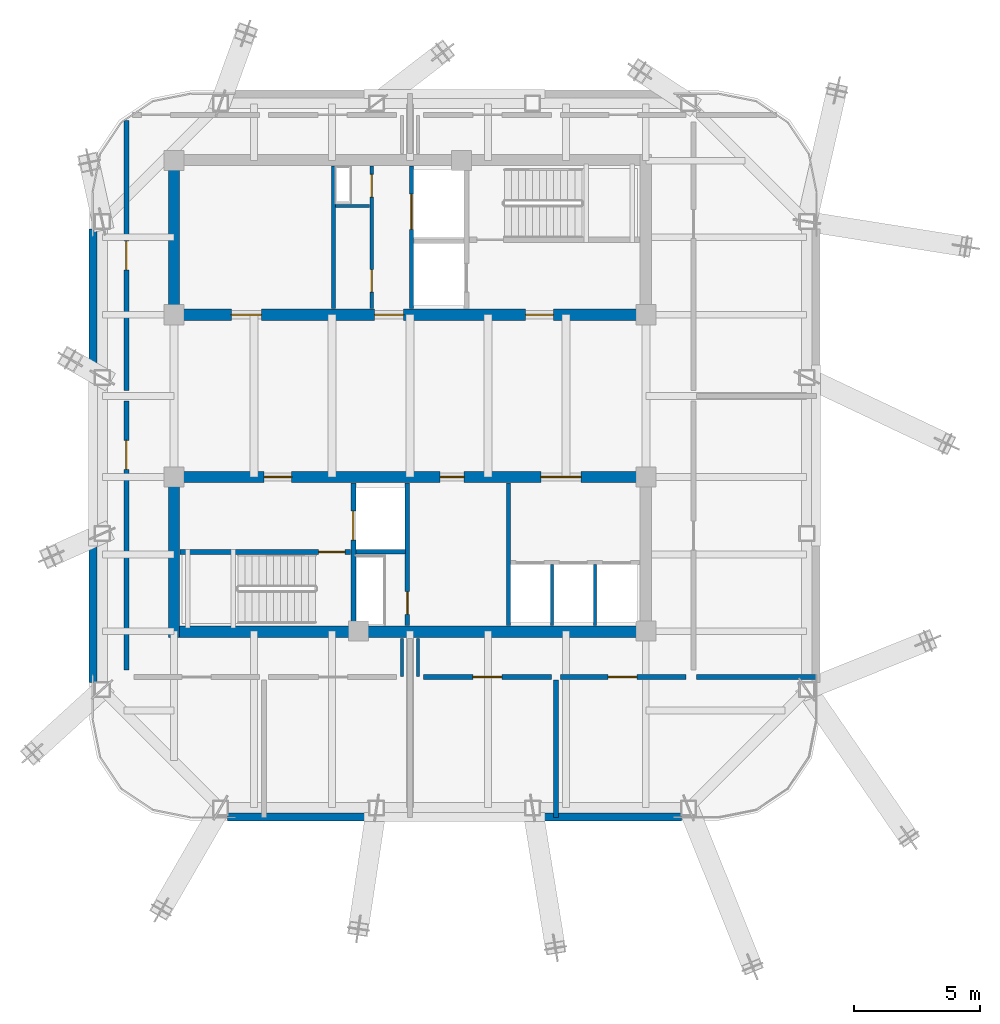
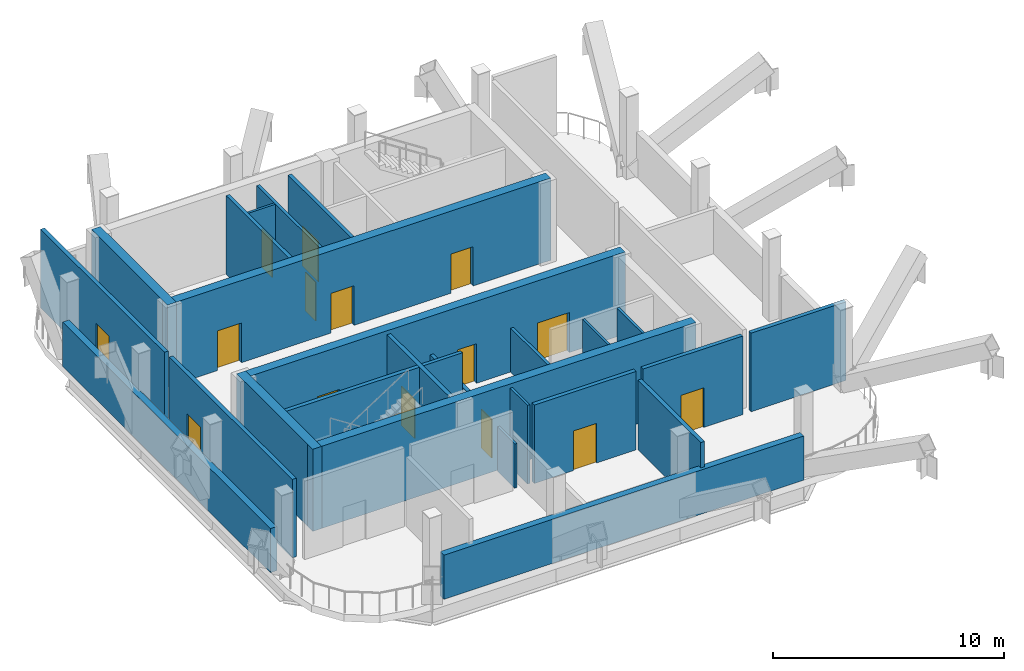
# One storey, part 3 of 7: 26 walls, 16 doors, 16 openings.
"""IFC4 building model written with IfcOpenShell, lengths in metres."""

from ifc_helpers import new_model, si_unit, direction, frame, frame_2d, origin, place, context, subcontext, project, spatial, rectangle, extrude, material, layer, layer_set, type_object, element, fill, save


model = new_model("IFC4")

# Units and contexts
model_context = context("Model", 3, precision=1e-05, world=origin(), true_north=direction((0.0, 1.0)))
body_context = subcontext(model_context, "Body", "Model", "MODEL_VIEW")
ifc_project = project(units=[si_unit("LENGTHUNIT", "METRE"), si_unit("AREAUNIT", "SQUARE_METRE"), si_unit("VOLUMEUNIT", "CUBIC_METRE"), si_unit("PLANEANGLEUNIT", "RADIAN"), si_unit("MASSUNIT", "GRAM", prefix="KILO")], contexts=[model_context])

# Site, building, storey
site_placement = place(None, origin())
site = spatial("IfcSite", under=ifc_project, at=site_placement, CompositionType="ELEMENT")
building_placement = place(site_placement, origin())
building = spatial("IfcBuilding", under=site, at=building_placement, Name="Qhalaya Broadcast Tower", CompositionType="ELEMENT")
storey_placement = place(building_placement, frame((0.0, 0.0, 238.5)))
storey = spatial("IfcBuildingStorey", under=building, at=storey_placement, Name="L70", CompositionType="ELEMENT", Elevation=238.5)

# Wall, openings, doors
ifc_material_1 = material(Name="Gypsum Acoustic Partition")
ifc_layer_1 = layer(ifc_material_1, 0.14990234375, Name="Gypsum Acoustic Partition")
ifc_layer_set_1 = layer_set([ifc_layer_1], Name="Gypsum Acoustic Partition")
wall_type_1 = type_object("IfcWallType", Name="Corridor & Tenancy Acoustic Partition 150", PredefinedType="PARTITIONING", material=ifc_layer_set_1)
wall_1_placement = place(storey_placement, frame((-1.52001953125, 4.070068359375, 0.0), z_axis=(0.0, 0.0, 1.0), x_axis=(0.0, 1.0, 0.0)))
wall_1 = element("IfcWall", 1, at=wall_1_placement, inside=storey, type_object=wall_type_1, Name="L70 Partition Wall NCW-SVL", PredefinedType="PARTITIONING", context=body_context, shape_type="SweptSolid", body=[
    extrude(rectangle(XDim=5.659912109375, YDim=0.14990234375, at=frame_2d((2.830078125, 0.0))), origin(), (0.0, 0.0, 1.0), 4.159912109375),
])
opening_1_placement = place(wall_1_placement, frame((4.429931640625, 0.0, 0.0)))
opening_1 = element("IfcOpeningElement", 2, at=opening_1_placement, cuts=wall_1, Name="Opening D06", PredefinedType="OPENING", context=body_context, shape_type="SweptSolid", body=[
    extrude(rectangle(XDim=0.89990234375, YDim=2.050048828125, at=frame_2d((0.449951171875, 1.02490234375))), frame((0.0, 0.0869140625, 0.0), z_axis=(0.0, -1.0, 0.0), x_axis=(1.0, 0.0, 0.0)), (0.0, 0.0, 1.0), 0.173828125),
])
opening_2_placement = place(wall_1_placement, frame((0.64990234375, 0.0, 0.0)))
opening_2 = element("IfcOpeningElement", 3, at=opening_2_placement, cuts=wall_1, Name="Opening D06", PredefinedType="OPENING", context=body_context, shape_type="SweptSolid", body=[
    extrude(rectangle(XDim=0.89990234375, YDim=2.050048828125, at=frame_2d((0.449951171875, 1.02490234375))), frame((0.0, 0.0869140625, 0.0), z_axis=(0.0, -1.0, 0.0), x_axis=(1.0, 0.0, 0.0)), (0.0, 0.0, 1.0), 0.173828125),
])
ifc_material_2 = material(Name="Fire-Rated Steel Door", Category="steel")
door_type_1 = type_object("IfcDoorType", Name="Riser & Electrical Shaft Access Door D06", OperationType="NOTDEFINED", PredefinedType="DOOR", material=ifc_material_2)
door_1_placement = place(opening_1_placement, origin())
door_1 = element("IfcDoor", 4, at=door_1_placement, inside=storey, type_object=door_type_1, Name="L70 Riser Shaft Access Door D-NRSR", OperationType="SINGLE_SWING_RIGHT", OverallHeight=2.050048828125, OverallWidth=0.89990234375, PredefinedType="DOOR", context=body_context, shape_type="SweptSolid", body=[
    extrude(rectangle(XDim=0.89990234375, YDim=2.050048828125, at=frame_2d((0.449951171875, 1.02490234375))), frame((0.0, 0.02490234375, 0.0), z_axis=(0.0, -1.0, 0.0), x_axis=(1.0, 0.0, 0.0)), (0.0, 0.0, 1.0), 0.050048828125),
])
fill(opening_1, door_1)
door_2_placement = place(opening_2_placement, origin())
door_2 = element("IfcDoor", 5, at=door_2_placement, inside=storey, type_object=door_type_1, Name="L70 Door D-NCST", OperationType="SINGLE_SWING_LEFT", OverallHeight=2.050048828125, OverallWidth=0.89990234375, PredefinedType="DOOR", context=body_context, shape_type="SweptSolid", body=[
    extrude(rectangle(XDim=0.89990234375, YDim=2.050048828125, at=frame_2d((0.449951171875, 1.02490234375))), frame((0.0, 0.02490234375, 0.0), z_axis=(0.0, -1.0, 0.0), x_axis=(1.0, 0.0, 0.0)), (0.0, 0.0, 1.0), 0.050048828125),
])
fill(opening_2, door_2)

# Wall
wall_2_placement = place(storey_placement, frame((3.919921875, -8.530029296875, 0.0), z_axis=(0.0, 0.0, 1.0), x_axis=(0.0, 1.0, 0.0)))
element("IfcWall", 6, at=wall_2_placement, inside=storey, type_object=wall_type_1, Name="L70 Partition Wall SCW-HSEP", PredefinedType="PARTITIONING", context=body_context, shape_type="SweptSolid", body=[
    extrude(rectangle(XDim=5.659912109375, YDim=0.14990234375, at=frame_2d((2.830078125, 0.0))), origin(), (0.0, 0.0, 1.0), 2.340087890625),
])

# Wall, opening, door
ifc_layer_2 = layer(ifc_material_1, 0.199951171875, Name="Gypsum Acoustic Partition")
ifc_layer_set_2 = layer_set([ifc_layer_2], Name="Gypsum Acoustic Partition")
wall_type_2 = type_object("IfcWallType", Name="Firefighting Lobby & Stair Enclosure Wall 200", PredefinedType="PARTITIONING", material=ifc_layer_set_2)
wall_3_placement = place(storey_placement, frame((0.530029296875, -10.570068359375, 0.0), z_axis=(0.0, 0.0, 1.0), x_axis=(1.0, 0.0, 0.0)))
wall_3 = element("IfcWall", 7, at=wall_3_placement, inside=storey, type_object=wall_type_2, Name="L70 Partition Wall W-PCS2", PredefinedType="PARTITIONING", context=body_context, shape_type="SweptSolid", body=[
    extrude(rectangle(XDim=5.090087890625, YDim=0.199951171875, at=frame_2d((2.544921875, 0.0))), origin(), (0.0, 0.0, 1.0), 4.159912109375),
])
opening_3_placement = place(wall_3_placement, frame((1.969970703125, 0.0, 0.0)))
opening_3 = element("IfcOpeningElement", 8, at=opening_3_placement, cuts=wall_3, Name="Opening D05", PredefinedType="OPENING", context=body_context, shape_type="SweptSolid", body=[
    extrude(rectangle(XDim=1.14990234375, YDim=2.10009765625, at=frame_2d((0.574951171875, 1.050048828125))), frame((0.0, 0.112060546875, 0.0), z_axis=(0.0, -1.0, 0.0), x_axis=(1.0, 0.0, 0.0)), (0.0, 0.0, 1.0), 0.223876953125),
])
door_type_2 = type_object("IfcDoorType", Name="Refuge & Plant Room Fire Door D05", OperationType="NOTDEFINED", PredefinedType="DOOR", material=ifc_material_2)
door_3_placement = place(opening_3_placement, origin())
door_3 = element("IfcDoor", 9, at=door_3_placement, inside=storey, type_object=door_type_2, Name="L70 Door D-PCS2", OperationType="SINGLE_SWING_RIGHT", OverallHeight=2.10009765625, OverallWidth=1.14990234375, PredefinedType="DOOR", context=body_context, shape_type="SweptSolid", body=[
    extrude(rectangle(XDim=1.14990234375, YDim=2.10009765625, at=frame_2d((0.574951171875, 1.050048828125))), frame((0.0, 0.02490234375, 0.0), z_axis=(0.0, -1.0, 0.0), x_axis=(1.0, 0.0, 0.0)), (0.0, 0.0, 1.0), 0.050048828125),
])
fill(opening_3, door_3)

# Wall
wall_4_placement = place(storey_placement, frame((5.800048828125, -16.14990234375, 0.0), z_axis=(0.0, 0.0, 1.0), x_axis=(0.0, 1.0, 0.0)))
element("IfcWall", 10, at=wall_4_placement, inside=storey, type_object=wall_type_2, Name="L70 Partition Wall W-PDS3", PredefinedType="PARTITIONING", context=body_context, shape_type="SweptSolid", body=[
    extrude(rectangle(XDim=5.4599609375, YDim=0.199951171875, at=frame_2d((2.72998046875, 0.0))), origin(), (0.0, 0.0, 1.0), 3.680908203125),
])

# Wall, opening, door
wall_5_placement = place(storey_placement, frame((5.97998046875, -10.570068359375, 0.0), z_axis=(0.0, 0.0, 1.0), x_axis=(1.0, 0.0, 0.0)))
wall_5 = element("IfcWall", 11, at=wall_5_placement, inside=storey, type_object=wall_type_2, Name="L70 Partition Wall W-PCS3", PredefinedType="PARTITIONING", context=body_context, shape_type="SweptSolid", body=[
    extrude(rectangle(XDim=4.989990234375, YDim=0.199951171875, at=frame_2d((2.4951171875, 0.0))), origin(), (0.0, 0.0, 1.0), 4.159912109375),
])
opening_4_placement = place(wall_5_placement, frame((1.889892578125, 0.0, 0.0)))
opening_4 = element("IfcOpeningElement", 12, at=opening_4_placement, cuts=wall_5, Name="Opening D05", PredefinedType="OPENING", context=body_context, shape_type="SweptSolid", body=[
    extrude(rectangle(XDim=1.14990234375, YDim=2.10009765625, at=frame_2d((0.574951171875, 1.050048828125))), frame((0.0, 0.112060546875, 0.0), z_axis=(0.0, -1.0, 0.0), x_axis=(1.0, 0.0, 0.0)), (0.0, 0.0, 1.0), 0.223876953125),
])
door_4_placement = place(opening_4_placement, origin())
door_4 = element("IfcDoor", 13, at=door_4_placement, inside=storey, type_object=door_type_2, Name="L70 Door D-PCS3", OperationType="SINGLE_SWING_RIGHT", OverallHeight=2.10009765625, OverallWidth=1.14990234375, PredefinedType="DOOR", context=body_context, shape_type="SweptSolid", body=[
    extrude(rectangle(XDim=1.14990234375, YDim=2.10009765625, at=frame_2d((0.574951171875, 1.050048828125))), frame((0.0, 0.02490234375, 0.0), z_axis=(0.0, -1.0, 0.0), x_axis=(1.0, 0.0, 0.0)), (0.0, 0.0, 1.0), 0.050048828125),
])
fill(opening_4, door_4)

# Wall
wall_6_placement = place(storey_placement, frame((11.389892578125, -10.570068359375, 0.0), z_axis=(0.0, 0.0, 1.0), x_axis=(1.0, 0.0, 0.0)))
element("IfcWall", 14, at=wall_6_placement, inside=storey, type_object=wall_type_2, Name="L70 Partition Wall W-PBSE", PredefinedType="PARTITIONING", context=body_context, shape_type="SweptSolid", body=[
    extrude(rectangle(XDim=4.760009765625, YDim=0.199951171875, at=frame_2d((2.3798828125, 0.0))), origin(), (0.0, 0.0, 1.0), 4.159912109375),
])

# Wall, opening, door
wall_7_placement = place(storey_placement, frame((-11.27001953125, 0.389892578125, 0.0), z_axis=(0.0, 0.0, 1.0), x_axis=(0.0, -1.0, 0.0)))
wall_7 = element("IfcWall", 15, at=wall_7_placement, inside=storey, type_object=wall_type_2, Name="L70 Partition Wall W-PCW1", PredefinedType="PARTITIONING", context=body_context, shape_type="SweptSolid", body=[
    extrude(rectangle(XDim=10.679931640625, YDim=0.199951171875, at=frame_2d((5.33984375, 0.0))), origin(), (0.0, 0.0, 1.0), 4.159912109375),
])
opening_5_placement = place(wall_7_placement, frame((1.56103515625, 0.0, 0.0)))
opening_5 = element("IfcOpeningElement", 16, at=opening_5_placement, cuts=wall_7, Name="Opening D05", PredefinedType="OPENING", context=body_context, shape_type="SweptSolid", body=[
    extrude(rectangle(XDim=1.14990234375, YDim=2.10009765625, at=frame_2d((0.574951171875, 1.050048828125))), frame((0.0, 0.112060546875, 0.0), z_axis=(0.0, -1.0, 0.0), x_axis=(1.0, 0.0, 0.0)), (0.0, 0.0, 1.0), 0.223876953125),
])
door_5_placement = place(opening_5_placement, origin())
door_5 = element("IfcDoor", 17, at=door_5_placement, inside=storey, type_object=door_type_2, Name="L70 Door D-PCW1", OperationType="SINGLE_SWING_LEFT", OverallHeight=2.10009765625, OverallWidth=1.14990234375, PredefinedType="DOOR", context=body_context, shape_type="SweptSolid", body=[
    extrude(rectangle(XDim=1.14990234375, YDim=2.10009765625, at=frame_2d((0.574951171875, 1.050048828125))), frame((0.0, 0.02490234375, 0.0), z_axis=(0.0, -1.0, 0.0), x_axis=(1.0, 0.0, 0.0)), (0.0, 0.0, 1.0), 0.050048828125),
])
fill(opening_5, door_5)

wall_8_placement = place(storey_placement, frame((-11.27001953125, 11.550048828125, 0.0), z_axis=(0.0, 0.0, 1.0), x_axis=(0.0, -1.0, 0.0)))
wall_8 = element("IfcWall", 18, at=wall_8_placement, inside=storey, type_object=wall_type_2, Name="L70 Partition Wall W-PCW2", PredefinedType="PARTITIONING", context=body_context, shape_type="SweptSolid", body=[
    extrude(rectangle(XDim=10.739990234375, YDim=0.199951171875, at=frame_2d((5.3701171875, 0.0))), origin(), (0.0, 0.0, 1.0), 4.159912109375),
])
opening_6_placement = place(wall_8_placement, frame((4.794921875, 0.0, 0.0)))
opening_6 = element("IfcOpeningElement", 19, at=opening_6_placement, cuts=wall_8, Name="Opening D05", PredefinedType="OPENING", context=body_context, shape_type="SweptSolid", body=[
    extrude(rectangle(XDim=1.14990234375, YDim=2.10009765625, at=frame_2d((0.574951171875, 1.050048828125))), frame((0.0, 0.112060546875, 0.0), z_axis=(0.0, -1.0, 0.0), x_axis=(1.0, 0.0, 0.0)), (0.0, 0.0, 1.0), 0.223876953125),
])
door_6_placement = place(opening_6_placement, origin())
door_6 = element("IfcDoor", 20, at=door_6_placement, inside=storey, type_object=door_type_2, Name="L70 Door D-PCW2", OperationType="SINGLE_SWING_RIGHT", OverallHeight=2.10009765625, OverallWidth=1.14990234375, PredefinedType="DOOR", context=body_context, shape_type="SweptSolid", body=[
    extrude(rectangle(XDim=1.14990234375, YDim=2.10009765625, at=frame_2d((0.574951171875, 1.050048828125))), frame((0.0, 0.02490234375, 0.0), z_axis=(0.0, -1.0, 0.0), x_axis=(1.0, 0.0, 0.0)), (0.0, 0.0, 1.0), 0.050048828125),
])
fill(opening_6, door_6)

ifc_material_3 = material(Name="Concrete C50/60", Category="concrete")
ifc_layer_3 = layer(ifc_material_3, 0.199951171875, Name="Concrete C50/60")
ifc_layer_set_3 = layer_set([ifc_layer_3], Name="Concrete C50/60")
wall_type_3 = type_object("IfcWallType", Name="Load-Bearing Stair Shaft Wall 200", PredefinedType="SHEAR", material=ifc_layer_set_3)
wall_9_placement = place(storey_placement, frame((-9.1298828125, -5.60498046875, 0.0), z_axis=(0.0, 0.0, 1.0), x_axis=(1.0, 0.0, 0.0)))
wall_9 = element("IfcWall", 21, at=wall_9_placement, inside=storey, type_object=wall_type_3, Name="L70 Stair Core Shear Wall SCW-ST2", PredefinedType="SHEAR", context=body_context, shape_type="SweptSolid", body=[
    extrude(rectangle(XDim=6.769775390625, YDim=0.199951171875, at=frame_2d((3.384765625, 0.0))), origin(), (0.0, 0.0, 1.0), 4.159912109375),
])
opening_7_placement = place(wall_9_placement, frame((5.5, 0.0, 0.0)))
opening_7 = element("IfcOpeningElement", 22, at=opening_7_placement, cuts=wall_9, Name="Opening D03", PredefinedType="OPENING", context=body_context, shape_type="SweptSolid", body=[
    extrude(rectangle(XDim=1.050048828125, YDim=2.080078125, at=frame_2d((0.52490234375, 1.0400390625))), frame((0.0, 0.112060546875, 0.0), z_axis=(0.0, -1.0, 0.0), x_axis=(1.0, 0.0, 0.0)), (0.0, 0.0, 1.0), 0.223876953125),
])
door_type_3 = type_object("IfcDoorType", Name="Core Stair Protected Fire Door D03", OperationType="NOTDEFINED", PredefinedType="DOOR", material=ifc_material_2)
door_7_placement = place(opening_7_placement, origin())
door_7 = element("IfcDoor", 23, at=door_7_placement, inside=storey, type_object=door_type_3, Name="L70 Door D-SST2", OperationType="SINGLE_SWING_RIGHT", OverallHeight=2.080078125, OverallWidth=1.050048828125, PredefinedType="DOOR", context=body_context, shape_type="SweptSolid", body=[
    extrude(rectangle(XDim=1.050048828125, YDim=2.080078125, at=frame_2d((0.52490234375, 1.0400390625))), frame((0.0, 0.02490234375, 0.0), z_axis=(0.0, -1.0, 0.0), x_axis=(1.0, 0.0, 0.0)), (0.0, 0.0, 1.0), 0.050048828125),
])
fill(opening_7, door_7)

wall_10_placement = place(storey_placement, frame((-2.25, -8.530029296875, 0.0), z_axis=(0.0, 0.0, 1.0), x_axis=(0.0, 1.0, 0.0)))
wall_10 = element("IfcWall", 24, at=wall_10_placement, inside=storey, type_object=wall_type_3, Name="L70 Stair Core Shear Wall SCW-FF", PredefinedType="SHEAR", context=body_context, shape_type="SweptSolid", body=[
    extrude(rectangle(XDim=5.659912109375, YDim=0.199951171875, at=frame_2d((2.830078125, 0.0))), origin(), (0.0, 0.0, 1.0), 4.159912109375),
])
opening_8_placement = place(wall_10_placement, frame((3.39990234375, 0.0, 0.0)))
opening_8 = element("IfcOpeningElement", 25, at=opening_8_placement, cuts=wall_10, Name="Opening LD2", PredefinedType="OPENING", context=body_context, shape_type="SweptSolid", body=[
    extrude(rectangle(XDim=1.14990234375, YDim=2.080078125, at=frame_2d((0.574951171875, 1.0400390625))), frame((0.0, 0.112060546875, 0.0), z_axis=(0.0, -1.0, 0.0), x_axis=(1.0, 0.0, 0.0)), (0.0, 0.0, 1.0), 0.223876953125),
])
ifc_material_4 = material(Name="Brushed Stainless Steel Lift Door", Category="steel")
door_type_4 = type_object("IfcDoorType", Name="Firefighting Lift Sliding Landing Door LD2", OperationType="DOUBLE_DOOR_SLIDING", PredefinedType="DOOR", material=ifc_material_4)
door_8_placement = place(opening_8_placement, origin())
door_8 = element("IfcDoor", 26, at=door_8_placement, inside=storey, type_object=door_type_4, Name="L70 Door LD-FF2", OperationType="DOUBLE_DOOR_SLIDING", OverallHeight=2.080078125, OverallWidth=1.14990234375, PredefinedType="DOOR", context=body_context, shape_type="SweptSolid", body=[
    extrude(rectangle(XDim=1.14990234375, YDim=2.080078125, at=frame_2d((0.574951171875, 1.0400390625))), frame((0.0, 0.02490234375, 0.0), z_axis=(0.0, -1.0, 0.0), x_axis=(1.0, 0.0, 0.0)), (0.0, 0.0, 1.0), 0.050048828125),
])
fill(opening_8, door_8)

# Walls
ifc_layer_4 = layer(ifc_material_1, 0.1201171875, Name="Gypsum Acoustic Partition")
ifc_layer_set_4 = layer_set([ifc_layer_4], Name="Gypsum Acoustic Partition")
wall_type_4 = type_object("IfcWallType", Name="Office, Booth & Sanitary Partition 120", PredefinedType="PARTITIONING", material=ifc_layer_set_4)
wall_11_placement = place(storey_placement, frame((-2.9599609375, 8.14990234375, 0.0), z_axis=(0.0, 0.0, 1.0), x_axis=(1.0, 0.0, 0.0)))
element("IfcWall", 27, at=wall_11_placement, inside=storey, type_object=wall_type_4, Name="L70 Partition Wall NCW-VA", PredefinedType="PARTITIONING", context=body_context, shape_type="SweptSolid", body=[
    extrude(rectangle(XDim=1.35986328125, YDim=0.1201171875, at=frame_2d((0.679931640625, 0.0))), origin(), (0.0, 0.0, 1.0), 4.159912109375),
])
for number, where, z_axis, x_axis, name in (
    (28, (5.639892578125, -8.530029296875, 0.0), (0.0, 0.0, 1.0), (0.0, 1.0, 0.0), "L70 Partition Wall SCW-HD6"),
    (29, (7.360107421875, -8.530029296875, 0.0), (0.0, 0.0, 1.0), (0.0, 1.0, 0.0), "L70 Partition Wall SCW-HD7"),
):
    element("IfcWall", number, at=place(storey_placement, frame(where, z_axis=z_axis, x_axis=x_axis)), inside=storey, type_object=wall_type_4, Name=name, PredefinedType="PARTITIONING", context=body_context, shape_type="SweptSolid", body=[
        extrude(rectangle(XDim=2.429931640625, YDim=0.1201171875, at=frame_2d((1.21484375, 0.0))), origin(), (0.0, 0.0, 1.0), 4.159912109375),
    ])
wall_12_placement = place(storey_placement, frame((-0.320068359375, -10.550048828125, 0.0), z_axis=(0.0, 0.0, 1.0), x_axis=(0.0, 1.0, 0.0)))
element("IfcWall", 30, at=wall_12_placement, inside=storey, type_object=wall_type_4, Name="L70 Partition Wall W-OBSCW", PredefinedType="PARTITIONING", context=body_context, shape_type="SweptSolid", body=[
    extrude(rectangle(XDim=1.510009765625, YDim=0.1201171875, at=frame_2d((0.7548828125, 0.0))), origin(), (0.0, 0.0, 1.0), 2.340087890625),
])
wall_13_placement = place(storey_placement, frame((0.320068359375, -10.550048828125, 0.0), z_axis=(0.0, 0.0, 1.0), x_axis=(0.0, 1.0, 0.0)))
element("IfcWall", 31, at=wall_13_placement, inside=storey, type_object=wall_type_4, Name="L70 Partition Wall W-OBSCE", PredefinedType="PARTITIONING", context=body_context, shape_type="SweptSolid", body=[
    extrude(rectangle(XDim=1.510009765625, YDim=0.1201171875, at=frame_2d((0.7548828125, 0.0))), origin(), (0.0, 0.0, 1.0), 4.159912109375),
])
ifc_material_5 = material(Name="Precast Concrete C40/50", Category="concrete")
ifc_layer_5 = layer(ifc_material_5, 0.320068359375, Name="Precast Concrete C40/50")
ifc_layer_set_5 = layer_set([ifc_layer_5], Name="Precast Concrete C40/50")
wall_type_5 = type_object("IfcWallType", Name="Recessed Neck Insulated Exterior Wall 320", PredefinedType="SOLIDWALL", material=ifc_layer_set_5)
for number, where, z_axis, x_axis, name in (
    (32, (10.781982421875, -16.1298828125, 0.0), (0.0, 0.0, 1.0), (-1.0, 0.0, 0.0), "L70 Exterior Facade Wall S"),
    (33, (-12.590087890625, -10.781982421875, 0.0), (0.0, 0.0, 1.0), (0.0, 1.0, 0.0), "L70 Exterior Facade Wall W"),
):
    element("IfcWall", number, at=place(storey_placement, frame(where, z_axis=z_axis, x_axis=x_axis)), inside=storey, type_object=wall_type_5, Name=name, PredefinedType="SOLIDWALL", context=body_context, shape_type="SweptSolid", body=[
        extrude(rectangle(XDim=18.02392578125, YDim=0.320068359375, at=frame_2d((9.011962890625, 0.0))), origin(), (0.0, 0.0, 1.0), 2.340087890625),
    ])

# Wall, opening, door
ifc_layer_6 = layer(ifc_material_1, 0.175048828125, Name="Gypsum Acoustic Partition")
ifc_layer_set_6 = layer_set([ifc_layer_6], Name="Gypsum Acoustic Partition")
wall_type_6 = type_object("IfcWallType", Name="Shaft & Riser Fire Partition 175", PredefinedType="PARTITIONING", material=ifc_layer_set_6)
wall_14_placement = place(storey_placement, frame((0.06005859375, 4.070068359375, 0.0), z_axis=(0.0, 0.0, 1.0), x_axis=(0.0, 1.0, 0.0)))
wall_14 = element("IfcWall", 34, at=wall_14_placement, inside=storey, type_object=wall_type_6, Name="L70 Partition Wall NCW-SVW", PredefinedType="PARTITIONING", context=body_context, shape_type="SweptSolid", body=[
    extrude(rectangle(XDim=5.659912109375, YDim=0.175048828125, at=frame_2d((2.830078125, 0.0))), origin(), (0.0, 0.0, 1.0), 4.159912109375),
])
opening_9_placement = place(wall_14_placement, frame((3.14990234375, 0.0, 0.0)))
opening_9 = element("IfcOpeningElement", 35, at=opening_9_placement, cuts=wall_14, Name="Opening LD3", PredefinedType="OPENING", context=body_context, shape_type="SweptSolid", body=[
    extrude(rectangle(XDim=1.39990234375, YDim=2.1201171875, at=frame_2d((0.699951171875, 1.06005859375))), frame((0.0, 0.099609375, 0.0), z_axis=(0.0, -1.0, 0.0), x_axis=(1.0, 0.0, 0.0)), (0.0, 0.0, 1.0), 0.198974609375),
])
door_type_5 = type_object("IfcDoorType", Name="Service Lift Wide Sliding Landing Door LD3", OperationType="DOUBLE_DOOR_SLIDING", PredefinedType="DOOR", material=ifc_material_4)
door_9_placement = place(opening_9_placement, origin())
door_9 = element("IfcDoor", 36, at=door_9_placement, inside=storey, type_object=door_type_5, Name="L70 Door LD-SV1", OperationType="DOUBLE_DOOR_SLIDING", OverallHeight=2.1201171875, OverallWidth=1.39990234375, PredefinedType="DOOR", context=body_context, shape_type="SweptSolid", body=[
    extrude(rectangle(XDim=1.39990234375, YDim=2.1201171875, at=frame_2d((0.699951171875, 1.06005859375))), frame((0.0, 0.02490234375, 0.0), z_axis=(0.0, -1.0, 0.0), x_axis=(1.0, 0.0, 0.0)), (0.0, 0.0, 1.0), 0.050048828125),
])
fill(opening_9, door_9)

# Wall
wall_15_placement = place(storey_placement, frame((-3.0400390625, 4.070068359375, 0.0), z_axis=(0.0, 0.0, 1.0), x_axis=(0.0, 1.0, 0.0)))
element("IfcWall", 37, at=wall_15_placement, inside=storey, type_object=wall_type_6, Name="L70 Partition Wall NCW-VRW", PredefinedType="PARTITIONING", context=body_context, shape_type="SweptSolid", body=[
    extrude(rectangle(XDim=5.659912109375, YDim=0.175048828125, at=frame_2d((2.830078125, 0.0))), origin(), (0.0, 0.0, 1.0), 4.159912109375),
])

# Wall, opening, door
wall_16_placement = place(storey_placement, frame((-0.10009765625, -8.530029296875, 0.0), z_axis=(0.0, 0.0, 1.0), x_axis=(0.0, 1.0, 0.0)))
wall_16 = element("IfcWall", 38, at=wall_16_placement, inside=storey, type_object=wall_type_6, Name="L70 Partition Wall SCW-FFE", PredefinedType="PARTITIONING", context=body_context, shape_type="SweptSolid", body=[
    extrude(rectangle(XDim=5.659912109375, YDim=0.175048828125, at=frame_2d((2.830078125, 0.0))), origin(), (0.0, 0.0, 1.0), 2.340087890625),
])
opening_10_placement = place(wall_16_placement, frame((0.449951171875, 0.0, 0.0)))
opening_10 = element("IfcOpeningElement", 39, at=opening_10_placement, cuts=wall_16, Name="Opening D06", PredefinedType="OPENING", context=body_context, shape_type="SweptSolid", body=[
    extrude(rectangle(XDim=0.89990234375, YDim=2.050048828125, at=frame_2d((0.449951171875, 1.02490234375))), frame((0.0, 0.099609375, 0.0), z_axis=(0.0, -1.0, 0.0), x_axis=(1.0, 0.0, 0.0)), (0.0, 0.0, 1.0), 0.198974609375),
])
door_10_placement = place(opening_10_placement, origin())
door_10 = element("IfcDoor", 40, at=door_10_placement, inside=storey, type_object=door_type_1, Name="L70 Riser Shaft Access Door D-SRSR", OperationType="SINGLE_SWING_LEFT", OverallHeight=2.050048828125, OverallWidth=0.89990234375, PredefinedType="DOOR", context=body_context, shape_type="SweptSolid", body=[
    extrude(rectangle(XDim=0.89990234375, YDim=2.050048828125, at=frame_2d((0.449951171875, 1.02490234375))), frame((0.0, 0.02490234375, 0.0), z_axis=(0.0, -1.0, 0.0), x_axis=(1.0, 0.0, 0.0)), (0.0, 0.0, 1.0), 0.050048828125),
])
fill(opening_10, door_10)

# Wall
wall_17_placement = place(storey_placement, frame((-2.14990234375, -5.60009765625, 0.0), z_axis=(0.0, 0.0, 1.0), x_axis=(1.0, 0.0, 0.0)))
element("IfcWall", 41, at=wall_17_placement, inside=storey, type_object=wall_type_6, Name="L70 Partition Wall SCW-FFM", PredefinedType="PARTITIONING", context=body_context, shape_type="SweptSolid", body=[
    extrude(rectangle(XDim=1.969970703125, YDim=0.175048828125, at=frame_2d((0.98486328125, 0.0))), origin(), (0.0, 0.0, 1.0), 4.159912109375),
])

# Wall, openings, doors
ifc_layer_7 = layer(ifc_material_3, 0.449951171875, Name="Concrete C50/60")
ifc_layer_set_7 = layer_set([ifc_layer_7], Name="Concrete C50/60")
wall_type_7 = type_object("IfcWallType", Name="Upper Split-Core Shear Wall 450", PredefinedType="SHEAR", material=ifc_layer_set_7)
wall_18_placement = place(storey_placement, frame((-9.60009765625, 3.824951171875, 0.0), z_axis=(0.0, 0.0, 1.0), x_axis=(1.0, 0.0, 0.0)))
wall_18 = element("IfcWall", 42, at=wall_18_placement, inside=storey, type_object=wall_type_7, Name="L70 Split-Core Shear Wall CW-NS", PredefinedType="SHEAR", context=body_context, shape_type="SweptSolid", body=[
    extrude(rectangle(XDim=19.2001953125, YDim=0.449951171875, at=frame_2d((9.60009765625, 0.0))), origin(), (0.0, 0.0, 1.0), 4.35009765625),
])
opening_11_placement = place(wall_18_placement, frame((14.199951171875, 0.0, 0.0)))
opening_11 = element("IfcOpeningElement", 43, at=opening_11_placement, cuts=wall_18, Name="Opening D04", PredefinedType="OPENING", context=body_context, shape_type="SweptSolid", body=[
    extrude(rectangle(XDim=1.10009765625, YDim=2.080078125, at=frame_2d((0.550048828125, 1.0400390625))), frame((0.0, 0.237060546875, 0.0), z_axis=(0.0, -1.0, 0.0), x_axis=(1.0, 0.0, 0.0)), (0.0, 0.0, 1.0), 0.473876953125),
])
opening_12_placement = place(wall_18_placement, frame((8.199951171875, 0.0, 0.0)))
opening_12 = element("IfcOpeningElement", 44, at=opening_12_placement, cuts=wall_18, Name="Opening D05", PredefinedType="OPENING", context=body_context, shape_type="SweptSolid", body=[
    extrude(rectangle(XDim=1.14990234375, YDim=2.10009765625, at=frame_2d((0.574951171875, 1.050048828125))), frame((0.0, 0.237060546875, 0.0), z_axis=(0.0, -1.0, 0.0), x_axis=(1.0, 0.0, 0.0)), (0.0, 0.0, 1.0), 0.473876953125),
])
opening_13_placement = place(wall_18_placement, frame((2.5, 0.0, 0.0)))
opening_13 = element("IfcOpeningElement", 45, at=opening_13_placement, cuts=wall_18, Name="Opening D11", PredefinedType="OPENING", context=body_context, shape_type="SweptSolid", body=[
    extrude(rectangle(XDim=1.199951171875, YDim=2.10009765625, at=frame_2d((0.60009765625, 1.050048828125))), frame((0.0, 0.237060546875, 0.0), z_axis=(0.0, -1.0, 0.0), x_axis=(1.0, 0.0, 0.0)), (0.0, 0.0, 1.0), 0.473876953125),
])
ifc_material_6 = material(Name="Anodised Aluminium Glazed Door", Category="aluminium")
door_type_6 = type_object("IfcDoorType", Name="Conference, Boardroom & Studio Control Door D11", OperationType="NOTDEFINED", PredefinedType="DOOR", material=ifc_material_6)
door_11_placement = place(opening_13_placement, origin())
door_11 = element("IfcDoor", 46, at=door_11_placement, inside=storey, type_object=door_type_6, Name="L70 Door D-NREC1", OperationType="SINGLE_SWING_LEFT", OverallHeight=2.10009765625, OverallWidth=1.199951171875, PredefinedType="DOOR", context=body_context, shape_type="SweptSolid", body=[
    extrude(rectangle(XDim=1.199951171875, YDim=2.10009765625, at=frame_2d((0.60009765625, 1.050048828125))), frame((0.0, 0.02490234375, 0.0), z_axis=(0.0, -1.0, 0.0), x_axis=(1.0, 0.0, 0.0)), (0.0, 0.0, 1.0), 0.050048828125),
])
fill(opening_13, door_11)
door_type_7 = type_object("IfcDoorType", Name="Firefighting Lobby Rated Door D04", OperationType="NOTDEFINED", PredefinedType="DOOR", material=ifc_material_2)
door_12_placement = place(opening_11_placement, origin())
door_12 = element("IfcDoor", 47, at=door_12_placement, inside=storey, type_object=door_type_7, Name="L70 Door D-NFF", OperationType="SINGLE_SWING_RIGHT", OverallHeight=2.080078125, OverallWidth=1.10009765625, PredefinedType="DOOR", context=body_context, shape_type="SweptSolid", body=[
    extrude(rectangle(XDim=1.10009765625, YDim=2.080078125, at=frame_2d((0.550048828125, 1.0400390625))), frame((0.0, 0.02490234375, 0.0), z_axis=(0.0, -1.0, 0.0), x_axis=(1.0, 0.0, 0.0)), (0.0, 0.0, 1.0), 0.050048828125),
])
fill(opening_11, door_12)
door_13_placement = place(opening_12_placement, origin())
door_13 = element("IfcDoor", 48, at=door_13_placement, inside=storey, type_object=door_type_2, Name="L70 Door D-NSVL", OperationType="SINGLE_SWING_LEFT", OverallHeight=2.10009765625, OverallWidth=1.14990234375, PredefinedType="DOOR", context=body_context, shape_type="SweptSolid", body=[
    extrude(rectangle(XDim=1.14990234375, YDim=2.10009765625, at=frame_2d((0.574951171875, 1.050048828125))), frame((0.0, 0.02490234375, 0.0), z_axis=(0.0, -1.0, 0.0), x_axis=(1.0, 0.0, 0.0)), (0.0, 0.0, 1.0), 0.050048828125),
])
fill(opening_12, door_13)

# Walls
wall_19_placement = place(storey_placement, frame((-9.375, 3.60009765625, 0.0), z_axis=(0.0, 0.0, 1.0), x_axis=(0.0, 1.0, 0.0)))
element("IfcWall", 49, at=wall_19_placement, inside=storey, type_object=wall_type_7, Name="L70 Split-Core Shear Wall CW-NW", PredefinedType="SHEAR", context=body_context, shape_type="SweptSolid", body=[
    extrude(rectangle(XDim=6.599853515625, YDim=0.449951171875, at=frame_2d((3.2998046875, 0.0))), origin(), (0.0, 0.0, 1.0), 4.35009765625),
])
wall_20_placement = place(storey_placement, frame((-9.60009765625, -8.77490234375, 0.0), z_axis=(0.0, 0.0, 1.0), x_axis=(1.0, 0.0, 0.0)))
element("IfcWall", 50, at=wall_20_placement, inside=storey, type_object=wall_type_7, Name="L70 Split-Core Shear Wall CW-SS", PredefinedType="SHEAR", context=body_context, shape_type="SweptSolid", body=[
    extrude(rectangle(XDim=19.2001953125, YDim=0.449951171875, at=frame_2d((9.60009765625, 0.0))), origin(), (0.0, 0.0, 1.0), 4.35009765625),
])

# Wall, openings, doors
wall_21_placement = place(storey_placement, frame((-9.60009765625, -2.625, 0.0), z_axis=(0.0, 0.0, 1.0), x_axis=(1.0, 0.0, 0.0)))
wall_21 = element("IfcWall", 51, at=wall_21_placement, inside=storey, type_object=wall_type_7, Name="L70 Split-Core Shear Wall CW-SN", PredefinedType="SHEAR", context=body_context, shape_type="SweptSolid", body=[
    extrude(rectangle(XDim=19.2001953125, YDim=0.449951171875, at=frame_2d((9.60009765625, 0.0))), origin(), (0.0, 0.0, 1.0), 4.35009765625),
])
opening_14_placement = place(wall_21_placement, frame((3.800048828125, 0.0, 0.0)))
opening_14 = element("IfcOpeningElement", 52, at=opening_14_placement, cuts=wall_21, Name="Opening D04", PredefinedType="OPENING", context=body_context, shape_type="SweptSolid", body=[
    extrude(rectangle(XDim=1.10009765625, YDim=2.080078125, at=frame_2d((0.550048828125, 1.0400390625))), frame((0.0, 0.237060546875, 0.0), z_axis=(0.0, -1.0, 0.0), x_axis=(1.0, 0.0, 0.0)), (0.0, 0.0, 1.0), 0.473876953125),
])
opening_15_placement = place(wall_21_placement, frame((10.800048828125, 0.0, 0.0)))
opening_15 = element("IfcOpeningElement", 53, at=opening_15_placement, cuts=wall_21, Name="Opening D10", PredefinedType="OPENING", context=body_context, shape_type="SweptSolid", body=[
    extrude(rectangle(XDim=0.949951171875, YDim=2.10009765625, at=frame_2d((0.47509765625, 1.050048828125))), frame((0.0, 0.237060546875, 0.0), z_axis=(0.0, -1.0, 0.0), x_axis=(1.0, 0.0, 0.0)), (0.0, 0.0, 1.0), 0.473876953125),
])
opening_16_placement = place(wall_21_placement, frame((14.800048828125, 0.0, 0.0)))
opening_16 = element("IfcOpeningElement", 54, at=opening_16_placement, cuts=wall_21, Name="Opening D07", PredefinedType="OPENING", context=body_context, shape_type="SweptSolid", body=[
    extrude(rectangle(XDim=1.60009765625, YDim=2.1201171875, at=frame_2d((0.800048828125, 1.06005859375))), frame((0.0, 0.237060546875, 0.0), z_axis=(0.0, -1.0, 0.0), x_axis=(1.0, 0.0, 0.0)), (0.0, 0.0, 1.0), 0.473876953125),
])
ifc_material_7 = material(Name="Timber Veneer Acoustic Door", Category="wood")
door_type_8 = type_object("IfcDoorType", Name="Cellular Office & Edit Booth Door D10", OperationType="NOTDEFINED", PredefinedType="DOOR", material=ifc_material_7)
door_14_placement = place(opening_15_placement, origin())
door_14 = element("IfcDoor", 55, at=door_14_placement, inside=storey, type_object=door_type_8, Name="L70 Door D-SREC", OperationType="SINGLE_SWING_LEFT", OverallHeight=2.10009765625, OverallWidth=0.949951171875, PredefinedType="DOOR", context=body_context, shape_type="SweptSolid", body=[
    extrude(rectangle(XDim=0.949951171875, YDim=2.10009765625, at=frame_2d((0.47509765625, 1.050048828125))), frame((0.0, 0.02490234375, 0.0), z_axis=(0.0, -1.0, 0.0), x_axis=(1.0, 0.0, 0.0)), (0.0, 0.0, 1.0), 0.050048828125),
])
fill(opening_15, door_14)
door_15_placement = place(opening_14_placement, origin())
door_15 = element("IfcDoor", 56, at=door_15_placement, inside=storey, type_object=door_type_7, Name="L70 Door D-SFF", OperationType="SINGLE_SWING_LEFT", OverallHeight=2.080078125, OverallWidth=1.10009765625, PredefinedType="DOOR", context=body_context, shape_type="SweptSolid", body=[
    extrude(rectangle(XDim=1.10009765625, YDim=2.080078125, at=frame_2d((0.550048828125, 1.0400390625))), frame((0.0, 0.02490234375, 0.0), z_axis=(0.0, -1.0, 0.0), x_axis=(1.0, 0.0, 0.0)), (0.0, 0.0, 1.0), 0.050048828125),
])
fill(opening_14, door_15)
door_type_9 = type_object("IfcDoorType", Name="Passenger Lift Lobby Double Glazed Door D07", OperationType="DOUBLE_DOOR_SINGLE_SWING", PredefinedType="DOOR", material=ifc_material_6)
door_16_placement = place(opening_16_placement, origin())
door_16 = element("IfcDoor", 57, at=door_16_placement, inside=storey, type_object=door_type_9, Name="L70 Door D-SPLL", OperationType="DOUBLE_DOOR_SINGLE_SWING", OverallHeight=2.1201171875, OverallWidth=1.60009765625, PredefinedType="DOOR", context=body_context, shape_type="SweptSolid", body=[
    extrude(rectangle(XDim=1.60009765625, YDim=2.1201171875, at=frame_2d((0.800048828125, 1.06005859375))), frame((0.0, 0.02490234375, 0.0), z_axis=(0.0, -1.0, 0.0), x_axis=(1.0, 0.0, 0.0)), (0.0, 0.0, 1.0), 0.050048828125),
])
fill(opening_16, door_16)

# Wall
wall_22_placement = place(storey_placement, frame((-9.375, -9.0, 0.0), z_axis=(0.0, 0.0, 1.0), x_axis=(0.0, 1.0, 0.0)))
element("IfcWall", 58, at=wall_22_placement, inside=storey, type_object=wall_type_7, Name="L70 Split-Core Shear Wall CW-SW", PredefinedType="SHEAR", context=body_context, shape_type="SweptSolid", body=[
    extrude(rectangle(XDim=6.60009765625, YDim=0.449951171875, at=frame_2d((3.300048828125, 0.0))), origin(), (0.0, 0.0, 1.0), 4.35009765625),
])

save(model, "model.ifc")
